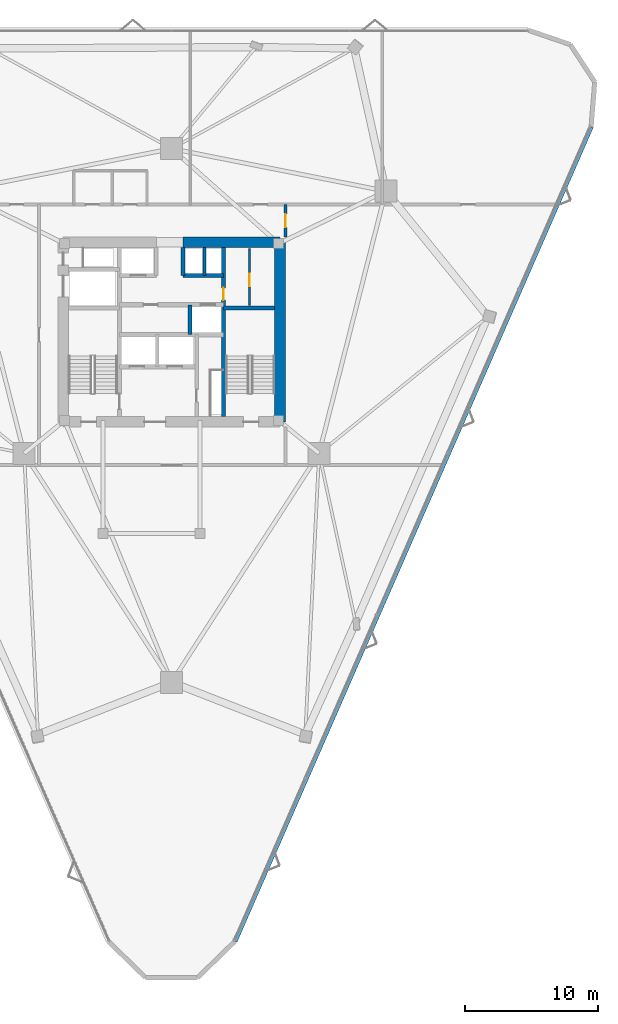
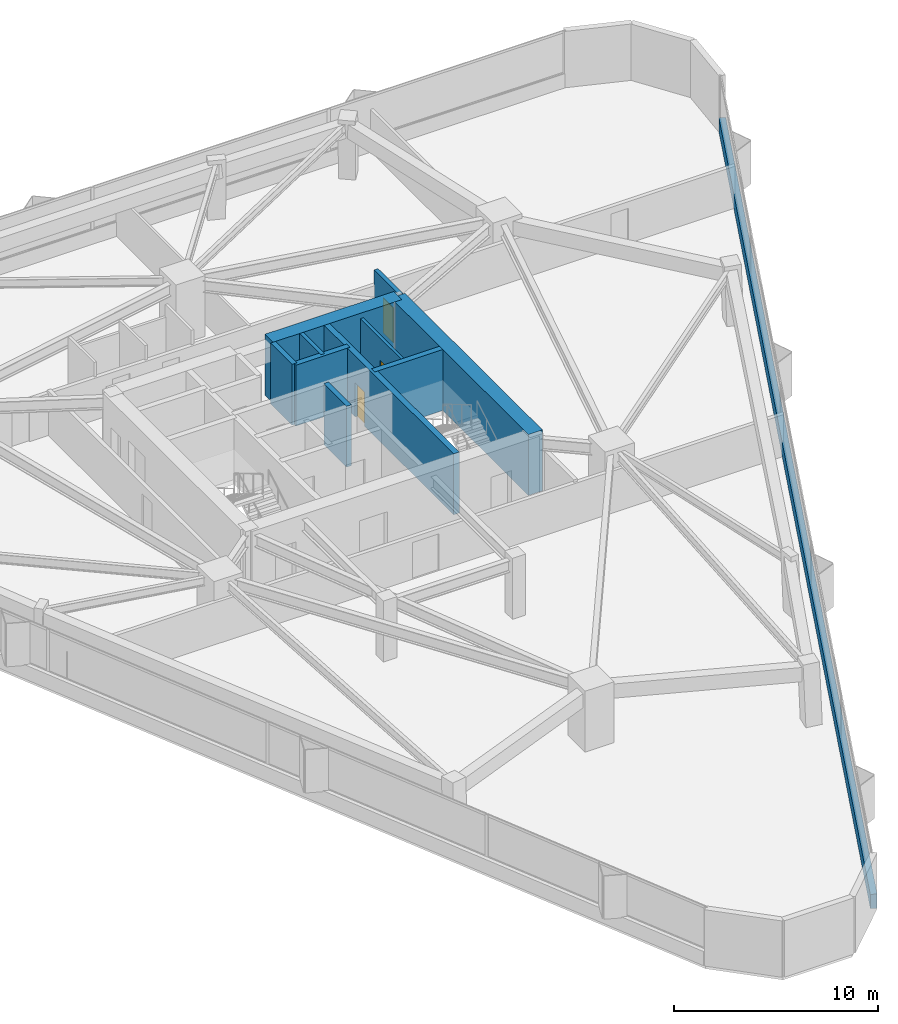
# One storey, part 17 of 19: 11 walls, 3 doors, 3 openings.
"""IFC4 building model written with IfcOpenShell, lengths in metres."""

from ifc_helpers import new_model, si_unit, direction, frame, frame_2d, origin, place, context, subcontext, project, spatial, rectangle, extrude, material, layer, layer_set, type_object, element, fill, save


model = new_model("IFC4")

# Units and contexts
model_context = context("Model", 3, precision=1e-05, world=origin(), true_north=direction((0.0, 1.0)))
body_context = subcontext(model_context, "Body", "Model", "MODEL_VIEW")
ifc_project = project(units=[si_unit("LENGTHUNIT", "METRE"), si_unit("AREAUNIT", "SQUARE_METRE"), si_unit("VOLUMEUNIT", "CUBIC_METRE"), si_unit("PLANEANGLEUNIT", "RADIAN"), si_unit("MASSUNIT", "GRAM", prefix="KILO")], contexts=[model_context])

# Site, building, storey
site_placement = place(None, origin())
site = spatial("IfcSite", under=ifc_project, at=site_placement, CompositionType="ELEMENT")
building_placement = place(site_placement, origin())
building = spatial("IfcBuilding", under=site, at=building_placement, Name="Talyreon Biosciences Tower", CompositionType="ELEMENT")
storey_placement = place(building_placement, frame((0.0, 0.0, 85.949951171875)))
storey = spatial("IfcBuildingStorey", under=building, at=storey_placement, Name="L22", CompositionType="ELEMENT", Elevation=85.949951171875)

# Walls
ifc_material_1 = material(Name="Concrete C50/60", Category="concrete")
ifc_layer_1 = layer(ifc_material_1, 0.219970703125)
ifc_layer_set_1 = layer_set([ifc_layer_1], Name="Concrete C50/60")
wall_type_1 = type_object("IfcWallType", Name="CoreShearWall_220", PredefinedType="SHEAR", material=ifc_layer_set_1)
wall_1_placement = place(storey_placement, frame((68.4599609375, 72.25, 0.0), z_axis=(0.0, 0.0, 1.0), x_axis=(0.0, 1.0, 0.0)))
element("IfcWall", 1, at=wall_1_placement, inside=storey, type_object=wall_type_1, Name="L22 Core Shaft Wall SWPHD", PredefinedType="SHEAR", context=body_context, shape_type="SweptSolid", body=[
    extrude(rectangle(XDim=2.10009765625, YDim=0.219970703125, at=frame_2d((1.050048828125, 0.0))), origin(), (0.0, 0.0, 1.0), 3.650146484375),
])
ifc_layer_2 = layer(ifc_material_1, 0.280029296875)
ifc_layer_set_2 = layer_set([ifc_layer_2], Name="Concrete C50/60")
wall_type_2 = type_object("IfcWallType", Name="CoreShearWall_280", PredefinedType="SHEAR", material=ifc_layer_set_2)
wall_2_placement = place(storey_placement, frame((66.85009765625, 72.25, 0.0), z_axis=(0.0, 0.0, 1.0), x_axis=(0.0, 1.0, 0.0)))
element("IfcWall", 2, at=wall_2_placement, inside=storey, type_object=wall_type_2, Name="L22 Core Shaft Wall SWTHE", PredefinedType="SHEAR", context=body_context, shape_type="SweptSolid", body=[
    extrude(rectangle(XDim=2.10009765625, YDim=0.280029296875, at=frame_2d((1.050048828125, 0.0))), origin(), (0.0, 0.0, 1.0), 3.650146484375),
])
wall_3_placement = place(storey_placement, frame((67.3798828125, 67.800048828125, 0.0), z_axis=(0.0, 0.0, 1.0), x_axis=(0.0, 1.0, 0.0)))
element("IfcWall", 3, at=wall_3_placement, inside=storey, type_object=wall_type_2, Name="L22 Core Shaft Wall SWPMD", PredefinedType="SHEAR", context=body_context, shape_type="SweptSolid", body=[
    extrude(rectangle(XDim=2.25, YDim=0.280029296875, at=frame_2d((1.125, 0.0))), origin(), (0.0, 0.0, 1.0), 3.650146484375),
])

# Wall, opening, door
ifc_layer_3 = layer(ifc_material_1, 0.320068359375)
ifc_layer_set_3 = layer_set([ifc_layer_3], Name="Concrete C50/60")
wall_type_3 = type_object("IfcWallType", Name="CoreShearWall_320", PredefinedType="SHEAR", material=ifc_layer_set_3)
wall_4_placement = place(storey_placement, frame((69.909912109375, 61.64990234375, 0.0), z_axis=(0.0, 0.0, 1.0), x_axis=(0.0, 1.0, 0.0)))
wall_4 = element("IfcWall", 4, at=wall_4_placement, inside=storey, type_object=wall_type_3, Name="L22 Core Shaft Wall SW2W", PredefinedType="SHEAR", context=body_context, shape_type="SweptSolid", body=[
    extrude(rectangle(XDim=12.7001953125, YDim=0.320068359375, at=frame_2d((6.35009765625, 0.0))), origin(), (0.0, 0.0, 1.0), 3.650146484375),
])
opening_1_placement = place(wall_4_placement, frame((8.75, 0.0, 0.0)))
opening_1 = element("IfcOpeningElement", 5, at=opening_1_placement, cuts=wall_4, Name="Opening DR-L22-CSRV", PredefinedType="OPENING", context=body_context, shape_type="SweptSolid", body=[
    extrude(rectangle(XDim=0.919921875, YDim=2.050048828125, at=frame_2d((0.4599609375, 1.02490234375))), frame((0.0, 0.169921875, 0.0), z_axis=(0.0, -1.0, 0.0), x_axis=(1.0, 0.0, 0.0)), (0.0, 0.0, 1.0), 0.340087890625),
])
ifc_material_2 = material(Name="Painted steel fire-rated riser door", Category="steel")
door_type_1 = type_object("IfcDoorType", Name="RiserPlantAccessDoor_920x2050", OperationType="NOTDEFINED", PredefinedType="DOOR", material=ifc_material_2)
door_1_placement = place(opening_1_placement, origin())
door_1 = element("IfcDoor", 6, at=door_1_placement, inside=storey, type_object=door_type_1, Name="L22 Core Door DR-L22-CSRV", OperationType="SINGLE_SWING_RIGHT", OverallHeight=2.050048828125, OverallWidth=0.919921875, PredefinedType="DOOR", context=body_context, shape_type="SweptSolid", body=[
    extrude(rectangle(XDim=0.919921875, YDim=2.050048828125, at=frame_2d((0.4599609375, 1.02490234375))), frame((0.0, 0.02490234375, 0.0), z_axis=(0.0, -1.0, 0.0), x_axis=(1.0, 0.0, 0.0)), (0.0, 0.0, 1.0), 0.050048828125),
])
fill(opening_1, door_1)

# Walls
wall_5_placement = place(storey_placement, frame((69.909912109375, 69.81005859375, 0.0), z_axis=(0.0, 0.0, 1.0), x_axis=(1.0, 0.0, 0.0)))
element("IfcWall", 7, at=wall_5_placement, inside=storey, type_object=wall_type_3, Name="L22 Core Shaft Wall SW2N", PredefinedType="SHEAR", context=body_context, shape_type="SweptSolid", body=[
    extrude(rectangle(XDim=3.840087890625, YDim=0.320068359375, at=frame_2d((1.919921875, 0.0))), origin(), (0.0, 0.0, 1.0), 3.650146484375),
])
wall_6_placement = place(storey_placement, frame((66.85009765625, 72.25, 0.0), z_axis=(0.0, 0.0, 1.0), x_axis=(1.0, 0.0, 0.0)))
element("IfcWall", 8, at=wall_6_placement, inside=storey, type_object=wall_type_3, Name="L22 Core Shaft Wall SWNPE", PredefinedType="SHEAR", context=body_context, shape_type="SweptSolid", body=[
    extrude(rectangle(XDim=3.059814453125, YDim=0.320068359375, at=frame_2d((1.52978515625, 0.0))), origin(), (0.0, 0.0, 1.0), 3.650146484375),
])
ifc_material_3 = material(Name="Concrete C60/75", Category="concrete")
ifc_layer_4 = layer(ifc_material_3, 0.800048828125)
ifc_layer_set_4 = layer_set([ifc_layer_4], Name="Concrete C60/75")
wall_type_4 = type_object("IfcWallType", Name="CoreShearWall_800", PredefinedType="SHEAR", material=ifc_layer_set_4)
wall_7_placement = place(storey_placement, frame((74.14990234375, 61.25, 0.0), z_axis=(0.0, 0.0, 1.0), x_axis=(0.0, 1.0, 0.0)))
element("IfcWall", 9, at=wall_7_placement, inside=storey, type_object=wall_type_4, Name="L22 Core Shear Wall E", PredefinedType="SHEAR", context=body_context, shape_type="SweptSolid", body=[
    extrude(rectangle(XDim=13.5, YDim=0.800048828125, at=frame_2d((6.75, 0.0))), origin(), (0.0, 0.0, 1.0), 3.650146484375),
])
wall_8_placement = place(storey_placement, frame((74.14990234375, 74.75, 0.0), z_axis=(0.0, 0.0, 1.0), x_axis=(-1.0, 0.0, 0.0)))
element("IfcWall", 10, at=wall_8_placement, inside=storey, type_object=wall_type_4, Name="L22 Core Shear Wall NE", PredefinedType="SHEAR", context=body_context, shape_type="SweptSolid", body=[
    extrude(rectangle(XDim=7.2998046875, YDim=0.800048828125, at=frame_2d((3.64990234375, 0.0))), origin(), (0.0, 0.0, 1.0), 3.650146484375),
])

# Wall, opening, door
ifc_material_4 = material(Name="Gypsum fireboard acoustic stud", Category="gypsum")
ifc_layer_5 = layer(ifc_material_4, 0.219970703125)
ifc_layer_set_5 = layer_set([ifc_layer_5], Name="Gypsum fireboard acoustic stud")
wall_type_5 = type_object("IfcWallType", Name="CorridorRatedPartition_220", PredefinedType="PARTITIONING", material=ifc_layer_set_5)
wall_9_placement = place(storey_placement, frame((74.550048828125, 75.14990234375, 0.0), z_axis=(0.0, 0.0, 1.0), x_axis=(0.0, 1.0, 0.0)))
wall_9 = element("IfcWall", 11, at=wall_9_placement, inside=storey, type_object=wall_type_5, Name="L22 Interior Wall IW-L22-ECAP-N", PredefinedType="PARTITIONING", context=body_context, shape_type="SweptSolid", body=[
    extrude(rectangle(XDim=2.43017578125, YDim=0.219970703125, at=frame_2d((1.215087890625, 0.0))), origin(), (0.0, 0.0, 1.0), 3.375),
])
opening_2_placement = place(wall_9_placement, frame((0.715087890625, 0.0, 0.0)))
opening_2 = element("IfcOpeningElement", 12, at=opening_2_placement, cuts=wall_9, Name="Opening DR-L22-E1A", PredefinedType="OPENING", context=body_context, shape_type="SweptSolid", body=[
    extrude(rectangle(XDim=1.0, YDim=2.10009765625, at=frame_2d((0.5, 1.050048828125))), frame((0.0, 0.119873046875, 0.0), z_axis=(0.0, -1.0, 0.0), x_axis=(1.0, 0.0, 0.0)), (0.0, 0.0, 1.0), 0.239990234375),
])
ifc_material_5 = material(Name="Acoustic oak veneer office door", Category="wood")
door_type_2 = type_object("IfcDoorType", Name="WriteupOfficeDoor_1000x2100", OperationType="NOTDEFINED", PredefinedType="DOOR", material=ifc_material_5)
door_2_placement = place(opening_2_placement, origin())
door_2 = element("IfcDoor", 13, at=door_2_placement, inside=storey, type_object=door_type_2, Name="L22 Interior Door DR-L22-E1A", OperationType="SINGLE_SWING_RIGHT", OverallHeight=2.10009765625, OverallWidth=1.0, PredefinedType="DOOR", context=body_context, shape_type="SweptSolid", body=[
    extrude(rectangle(XDim=1.0, YDim=2.10009765625, at=frame_2d((0.5, 1.050048828125))), frame((0.0, 0.02490234375, 0.0), z_axis=(0.0, -1.0, 0.0), x_axis=(1.0, 0.0, 0.0)), (0.0, 0.0, 1.0), 0.050048828125),
])
fill(opening_2, door_2)

ifc_material_6 = material(Name="Gypsum acoustic stud partition", Category="gypsum")
ifc_layer_6 = layer(ifc_material_6, 0.159912109375)
ifc_layer_set_6 = layer_set([ifc_layer_6], Name="Gypsum acoustic stud partition")
wall_type_6 = type_object("IfcWallType", Name="LabSeparationPartition_160", PredefinedType="PARTITIONING", material=ifc_layer_set_6)
wall_10_placement = place(storey_placement, frame((71.85009765625, 70.0, 0.0), z_axis=(0.0, 0.0, 1.0), x_axis=(0.0, 1.0, 0.0)))
wall_10 = element("IfcWall", 14, at=wall_10_placement, inside=storey, type_object=wall_type_6, Name="L22 Interior Wall IW-L22-CSRV-V", PredefinedType="PARTITIONING", context=body_context, shape_type="SweptSolid", body=[
    extrude(rectangle(XDim=4.300048828125, YDim=0.159912109375, at=frame_2d((2.14990234375, 0.0))), origin(), (0.0, 0.0, 1.0), 3.375),
])
opening_3_placement = place(wall_10_placement, frame((1.449951171875, 0.0, 0.0)))
opening_3 = element("IfcOpeningElement", 15, at=opening_3_placement, cuts=wall_10, Name="Opening DR-L22-CSRV-I", PredefinedType="OPENING", context=body_context, shape_type="SweptSolid", body=[
    extrude(rectangle(XDim=0.919921875, YDim=2.050048828125, at=frame_2d((0.4599609375, 1.02490234375))), frame((0.0, 0.08984375, 0.0), z_axis=(0.0, -1.0, 0.0), x_axis=(1.0, 0.0, 0.0)), (0.0, 0.0, 1.0), 0.179931640625),
])
door_3_placement = place(opening_3_placement, origin())
door_3 = element("IfcDoor", 16, at=door_3_placement, inside=storey, type_object=door_type_1, Name="L22 Interior Door DR-L22-CSRV-I", OperationType="SINGLE_SWING_RIGHT", OverallHeight=2.050048828125, OverallWidth=0.919921875, PredefinedType="DOOR", context=body_context, shape_type="SweptSolid", body=[
    extrude(rectangle(XDim=0.919921875, YDim=2.050048828125, at=frame_2d((0.4599609375, 1.02490234375))), frame((0.0, 0.02490234375, 0.0), z_axis=(0.0, -1.0, 0.0), x_axis=(1.0, 0.0, 0.0)), (0.0, 0.0, 1.0), 0.050048828125),
])
fill(opening_3, door_3)

# Wall
ifc_material_7 = material(Name="Precast concrete C45/55", Category="concrete")
ifc_layer_7 = layer(ifc_material_7, 0.340087890625)
ifc_layer_set_7 = layer_set([ifc_layer_7], Name="Precast concrete C45/55")
wall_type_7 = type_object("IfcWallType", Name="PrecastConcreteSpandrelWall_340", PredefinedType="STANDARD", material=ifc_layer_set_7)
wall_11_placement = place(storey_placement, frame((97.548828125, 83.436767578125, 0.0), z_axis=(0.0, 0.0, 1.0), x_axis=(-0.400686629733, -0.916215162914, 0.0)))
element("IfcWall", 17, at=wall_11_placement, inside=storey, type_object=wall_type_7, Name="L22 Expressed Concrete Sill Wall 08", PredefinedType="STANDARD", context=body_context, shape_type="SweptSolid", body=[
    extrude(rectangle(XDim=66.84619140625, YDim=0.340087890625, at=frame_2d((33.423095703125, 0.0))), origin(), (0.0, 0.0, 1.0), 0.85009765625),
])

save(model, "model.ifc")
